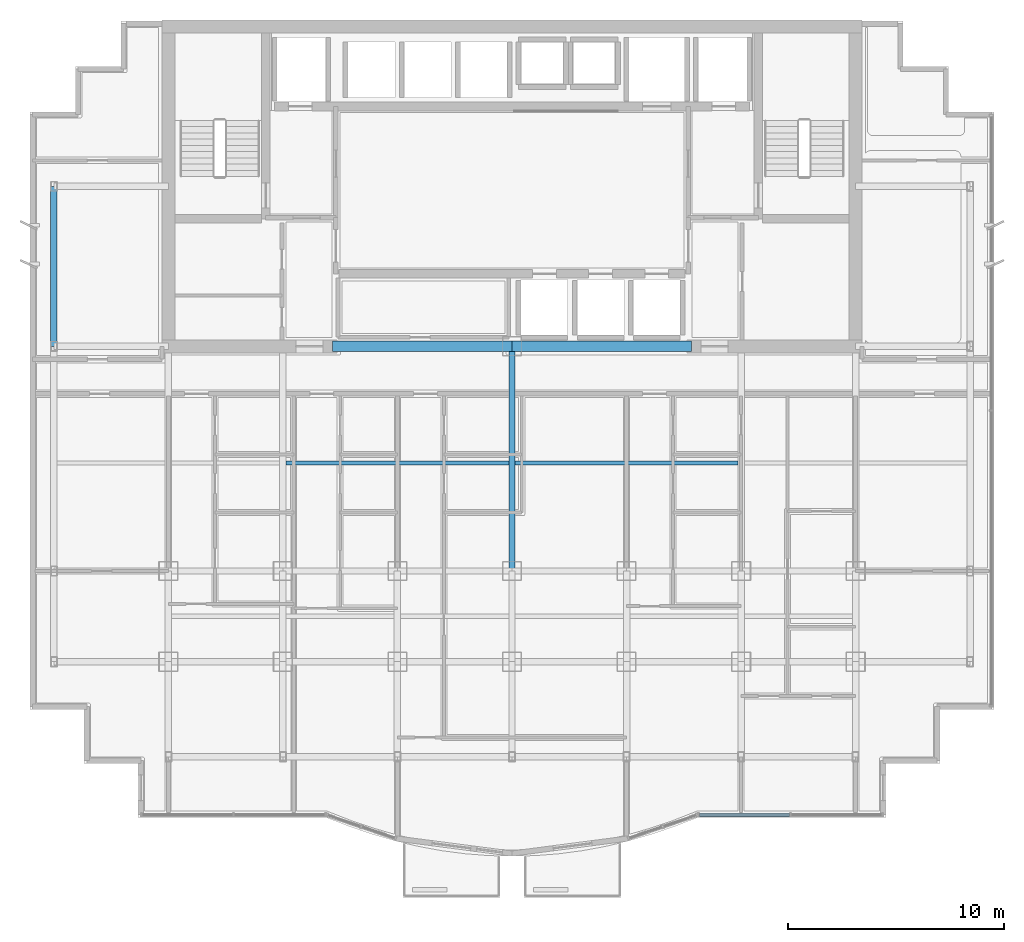
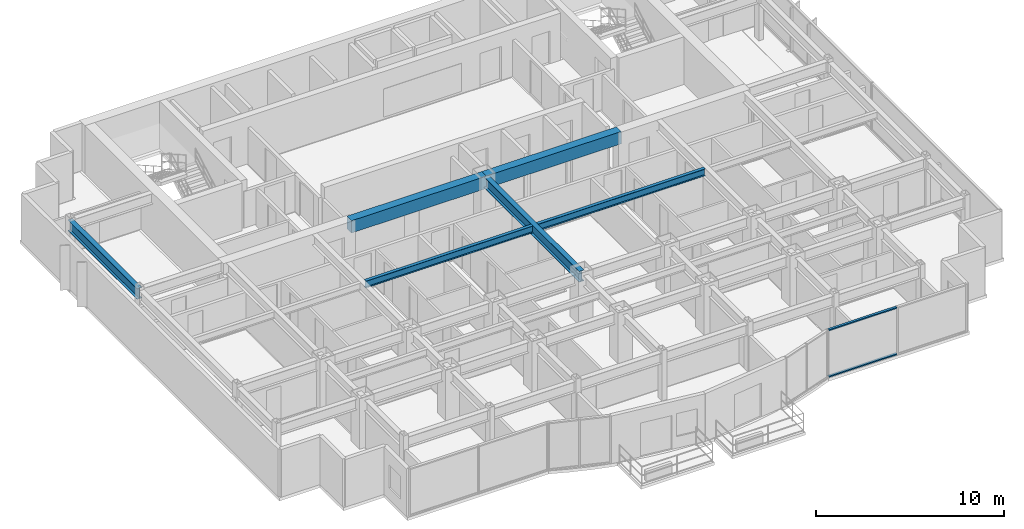
# One storey, part 3 of 13: 6 beams, 2 members, 1 element without a shape of its own.
"""IFC4 building model written with IfcOpenShell, lengths in metres."""

from ifc_helpers import new_model, si_unit, direction, frame, origin, origin_2d, place, context, subcontext, project, spatial, rectangle, i_section, extrude, source, transform, mapped, material, layer, layer_set, material_profile, profile_set, type_object, element, aggregate, save


model = new_model("IFC4")

# Units and contexts
model_context = context("Model", 3, precision=1e-05, world=origin(), true_north=direction((0.0, 1.0)))
body_context = subcontext(model_context, "Body", "Model", "MODEL_VIEW")
ifc_project = project(units=[si_unit("LENGTHUNIT", "METRE"), si_unit("AREAUNIT", "SQUARE_METRE"), si_unit("VOLUMEUNIT", "CUBIC_METRE"), si_unit("PLANEANGLEUNIT", "RADIAN"), si_unit("MASSUNIT", "GRAM", prefix="KILO")], contexts=[model_context])

# Site, building, storey
site_placement = place(None, origin())
site = spatial("IfcSite", under=ifc_project, at=site_placement, CompositionType="ELEMENT")
building_placement = place(site_placement, origin())
building = spatial("IfcBuilding", under=site, at=building_placement, Name="Qianlan Lanfeng Residences", CompositionType="ELEMENT")
storey_placement = place(building_placement, frame((0.0, 0.0, 142.5)))
storey = spatial("IfcBuildingStorey", under=building, at=storey_placement, Name="L38", CompositionType="ELEMENT", Elevation=142.5)

# Beams
ifc_material_1 = material(Name="Steel SN490B", Category="steel")
ifc_material_profile_1 = material_profile(ifc_material_1, i_section(OverallWidth=0.300048828125, OverallDepth=0.699951171875, WebThickness=0.012939453125, FlangeThickness=0.02392578125, at=origin_2d()), Name="H 700x300x13x24")
ifc_profile_set_1 = profile_set([ifc_material_profile_1], Name="Steel SN490B")
beam_type_1 = type_object("IfcBeamType", Name="G-750", PredefinedType="BEAM", material=ifc_profile_set_1)
beam_1_placement = place(storey_placement, frame((26.5, 14.800048828125, 2.75), z_axis=(0.0, 1.0, 0.0), x_axis=(-1.0, 0.0, 0.0)))
element("IfcBeam", 1, at=beam_1_placement, inside=storey, type_object=beam_type_1, Name="Structural beam G-750", PredefinedType="BEAM", context=body_context, shape_type="SweptSolid", body=[
    extrude(i_section(OverallWidth=0.300048828125, OverallDepth=0.699951171875, WebThickness=0.012939453125, FlangeThickness=0.02392578125, at=origin_2d()), origin(), (0.0, 0.0, 1.0), 10.39990234375),
])
ifc_material_profile_2 = material_profile(ifc_material_1, i_section(OverallWidth=0.199951171875, OverallDepth=0.449951171875, WebThickness=0.009033203125, FlangeThickness=0.013916015625, at=origin_2d()), Name="H 450x200x9x14")
ifc_profile_set_2 = profile_set([ifc_material_profile_2], Name="Steel SN490B")
beam_type_2 = type_object("IfcBeamType", Name="J-450", PredefinedType="JOIST", material=ifc_profile_set_2)
for number, where, z_axis, x_axis, name in (
    (2, (16.050048828125, 19.800048828125, 2.875), (1.0, 0.0, 0.0), (0.0, 1.0, 0.0), "Structural beam J-450"),
    (3, (26.64990234375, 19.800048828125, 2.875), (1.0, 0.0, 0.0), (0.0, 1.0, 0.0), "Structural beam J-450"),
):
    element("IfcBeam", number, at=place(storey_placement, frame(where, z_axis=z_axis, x_axis=x_axis)), inside=storey, type_object=beam_type_2, Name=name, PredefinedType="JOIST", context=body_context, shape_type="SweptSolid", body=[
        extrude(i_section(OverallWidth=0.199951171875, OverallDepth=0.449951171875, WebThickness=0.009033203125, FlangeThickness=0.013916015625, at=origin_2d()), origin(), (0.0, 0.0, 1.0), 10.300048828125),
    ])
ifc_material_2 = material(Name="Concrete C49", Category="concrete")
ifc_material_profile_3 = material_profile(ifc_material_2, rectangle(XDim=0.5, YDim=0.800048828125, at=origin_2d()), Name="RC 500x800")
ifc_profile_set_3 = profile_set([ifc_material_profile_3], Name="Concrete C49")
beam_type_3 = type_object("IfcBeamType", Name="LB-RC750", PredefinedType="BEAM", material=ifc_profile_set_3)
for number, where, z_axis, x_axis, name in (
    (4, (18.199951171875, 25.199951171875, 2.699951171875), (1.0, 0.0, 0.0), (0.0, 1.0, 0.0), "L38 Core Coupling Beam W"),
    (5, (26.5, 25.199951171875, 2.699951171875), (1.0, 0.0, 0.0), (0.0, 1.0, 0.0), "L38 Core Coupling Beam E"),
):
    element("IfcBeam", number, at=place(storey_placement, frame(where, z_axis=z_axis, x_axis=x_axis)), inside=storey, type_object=beam_type_3, Name=name, PredefinedType="BEAM", context=body_context, shape_type="SweptSolid", body=[
        extrude(rectangle(XDim=0.5, YDim=0.800048828125, at=origin_2d()), origin(), (0.0, 0.0, 1.0), 8.300048828125),
    ])
ifc_material_profile_4 = material_profile(ifc_material_1, i_section(OverallWidth=0.300048828125, OverallDepth=0.699951171875, WebThickness=0.012939453125, FlangeThickness=0.02392578125, at=origin_2d()), Name="H 700x300x13x24")
ifc_profile_set_4 = profile_set([ifc_material_profile_4], Name="Steel SN490B")
beam_type_4 = type_object("IfcBeamType", Name="SG-750", PredefinedType="SPANDREL", material=ifc_profile_set_4)
beam_2_placement = place(storey_placement, frame((5.300048828125, 25.199951171875, 2.739990234375), z_axis=(0.0, 1.0, 0.0), x_axis=(-1.0, 0.0, 0.0)))
element("IfcBeam", 6, at=beam_2_placement, inside=storey, type_object=beam_type_4, Name="Structural beam SG-750", PredefinedType="SPANDREL", context=body_context, shape_type="SweptSolid", body=[
    extrude(i_section(OverallWidth=0.300048828125, OverallDepth=0.699951171875, WebThickness=0.012939453125, FlangeThickness=0.02392578125, at=origin_2d()), origin(), (0.0, 0.0, 1.0), 7.400146484375),
])

# Curtain wall, members
ifc_material_3 = material(Name="Anodised Bronze Aluminium 6063-T6", Category="aluminium")
ifc_layer = layer(ifc_material_3, 0.219970703125)
ifc_layer_set = layer_set([ifc_layer], Name="Anodised Bronze Aluminium 6063-T6")
curtain_wall_type = type_object("IfcCurtainWallType", Name="CW-04", PredefinedType="NOTDEFINED", material=ifc_layer_set)
curtain_wall_placement = place(storey_placement, origin())
curtain_wall = element("IfcCurtainWall", 7, at=curtain_wall_placement, inside=storey, type_object=curtain_wall_type, Name="L38 Unitised Curtain Wall CWR-L38-04 (CW-04)", PredefinedType="NOTDEFINED")
ifc_material_profile_5 = material_profile(ifc_material_3, rectangle(XDim=0.074951171875, YDim=0.14990234375, at=origin_2d()), Name="ALU TRANSOM 75x150")
ifc_profile_set_5 = profile_set([ifc_material_profile_5], Name="Anodised Bronze Aluminium 6063-T6")
member_type = type_object("IfcMemberType", Name="CWT-150", PredefinedType="USERDEFINED", material=ifc_profile_set_5)
shared_shape = source(origin(), body_context, "Body", "SweptSolid", [
    extrude(rectangle(XDim=0.074951171875, YDim=0.14990234375, at=origin_2d()), origin(), (0.0, 0.0, 1.0), 4.178955078125),
])
member_1_placement = place(storey_placement, frame((35.172119140625, 3.52001953125, 0.03759765625), z_axis=(1.0, 0.0, 0.0), x_axis=(0.0, 0.0, 1.0)))
member_1 = element("IfcMember", 8, at=member_1_placement, type_object=member_type, Name="CWR-L38-04 Transom 1-BOT", ObjectType="TRANSOM", PredefinedType="USERDEFINED", context=body_context, shape_type="MappedRepresentation", body=[
    mapped(shared_shape, transform((0.0, 0.0, 0.0), scale=1.0)),
])
member_2_placement = place(storey_placement, frame((35.172119140625, 3.52001953125, 3.0625), z_axis=(1.0, 0.0, 0.0), x_axis=(0.0, 0.0, 1.0)))
member_2 = element("IfcMember", 9, at=member_2_placement, type_object=member_type, Name="CWR-L38-04 Transom 1-TOP", ObjectType="TRANSOM", PredefinedType="USERDEFINED", context=body_context, shape_type="MappedRepresentation", body=[
    mapped(shared_shape, transform((0.0, 0.0, 0.0), scale=1.0)),
])
aggregate(curtain_wall, [member_1, member_2])

save(model, "model.ifc")
